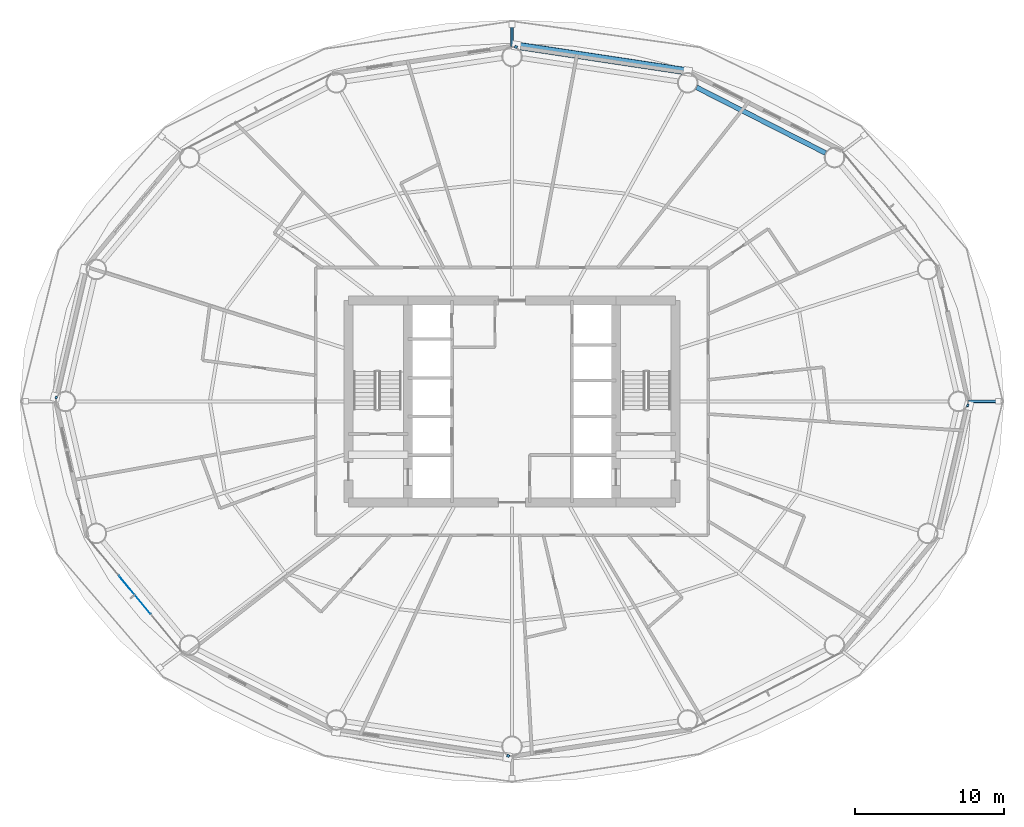
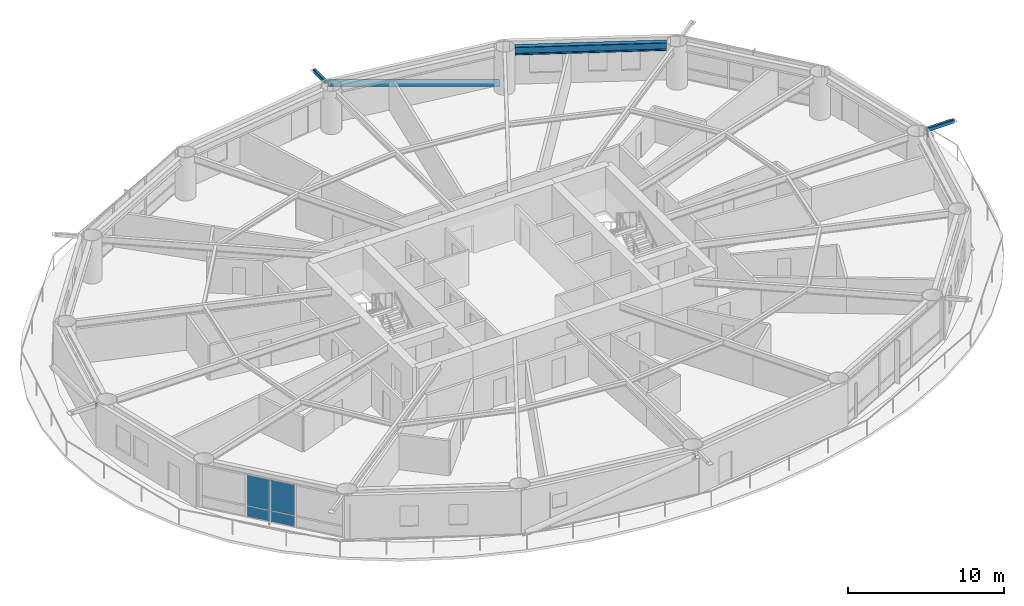
# One storey, part 15 of 26: 7 members, 2 plates, 1 beam, 1 element without a shape of its own.
"""IFC4 building model written with IfcOpenShell, lengths in metres."""

from ifc_helpers import new_model, si_unit, direction, frame, origin, origin_2d, place, context, subcontext, project, spatial, rectangle, hollow_rectangle, hollow_circle, i_section, extrude, material, layer, layer_set, material_profile, profile_set, type_object, element, aggregate, save


model = new_model("IFC4")

# Units and contexts
model_context = context("Model", 3, precision=1e-05, world=origin(), true_north=direction((0.0, 1.0)))
body_context = subcontext(model_context, "Body", "Model", "MODEL_VIEW")
ifc_project = project(units=[si_unit("LENGTHUNIT", "METRE"), si_unit("AREAUNIT", "SQUARE_METRE"), si_unit("VOLUMEUNIT", "CUBIC_METRE"), si_unit("PLANEANGLEUNIT", "RADIAN"), si_unit("MASSUNIT", "GRAM", prefix="KILO")], contexts=[model_context])

# Site, building, storey
site_placement = place(None, origin())
site = spatial("IfcSite", under=ifc_project, at=site_placement, CompositionType="ELEMENT")
building_placement = place(site_placement, origin())
building = spatial("IfcBuilding", under=site, at=building_placement, Name="Sarneth Arch Tower", CompositionType="ELEMENT")
storey_placement = place(building_placement, frame((0.0, 0.0, 53.39990234375)))
storey = spatial("IfcBuildingStorey", under=building, at=storey_placement, Name="L12", CompositionType="ELEMENT", Elevation=53.39990234375)

# Beam
ifc_material_1 = material(Name="Steel S355", Category="steel")
ifc_material_profile_1 = material_profile(ifc_material_1, i_section(OverallWidth=0.326904296875, OverallDepth=0.6220703125, WebThickness=0.015380859375, FlangeThickness=0.0244140625, FilletRadius=0.01904296875, at=origin_2d()), Name="W610x195")
ifc_profile_set_1 = profile_set([ifc_material_profile_1], Name="Steel S355")
beam_type = type_object("IfcBeamType", Name="BM-SPAN-610A", PredefinedType="SPANDREL", material=ifc_profile_set_1)
beam_placement = place(storey_placement, frame((69.09521484375, 58.711181640625, 3.069091796875), z_axis=(-0.8911738076, 0.453662037919, 0.0), x_axis=(-0.453662037919, -0.8911738076, 0.0)))
element("IfcBeam", 1, at=beam_placement, inside=storey, type_object=beam_type, Name="L12 Perimeter spandrel beam 03", PredefinedType="SPANDREL", context=body_context, shape_type="SweptSolid", body=[
    extrude(i_section(OverallWidth=0.326904296875, OverallDepth=0.6220703125, WebThickness=0.015380859375, FlangeThickness=0.0244140625, FilletRadius=0.01904296875, at=origin_2d()), origin(), (0.0, 0.0, 1.0), 9.735107421875),
])

# Members
ifc_material_2 = material(Name="Steel S355", Category="steel")
ifc_material_profile_2 = material_profile(ifc_material_2, hollow_rectangle(XDim=0.199951171875, YDim=0.300048828125, WallThickness=0.012451171875, InnerFilletRadius=0.018798828125, OuterFilletRadius=0.03125, at=origin_2d()), Name="RHS300x200x12.5")
ifc_profile_set_2 = profile_set([ifc_material_profile_2], Name="Steel S355")
member_type_1 = type_object("IfcMemberType", Name="MEM-CANT-STRUT", PredefinedType="STRUT", material=ifc_profile_set_2)
member_1_placement = place(storey_placement, frame((78.709716796875, 42.0, 3.22021484375), z_axis=(1.0, 0.0, 0.0), x_axis=(0.0, 1.0, 0.0)))
element("IfcMember", 2, at=member_1_placement, inside=storey, type_object=member_type_1, Name="L12 Balcony cantilever bracket 01", PredefinedType="STRUT", context=body_context, shape_type="SweptSolid", body=[
    extrude(hollow_rectangle(XDim=0.199951171875, YDim=0.300048828125, WallThickness=0.012451171875, InnerFilletRadius=0.018798828125, OuterFilletRadius=0.03125, at=origin_2d()), origin(), (0.0, 0.0, 1.0), 2.014404296875),
])
member_2_placement = place(storey_placement, frame((48.227294921875, 65.763427734375, 3.0068359375), z_axis=(0.374114534281, 0.927382507512, 0.0), x_axis=(-0.927382507512, 0.374114534281, 0.0)))
element("IfcMember", 3, at=member_2_placement, inside=storey, type_object=member_type_1, Name="L12 Exoskeleton brace node strut 04B", PredefinedType="STRUT", context=body_context, shape_type="SweptSolid", body=[
    extrude(hollow_rectangle(XDim=0.199951171875, YDim=0.300048828125, WallThickness=0.012451171875, InnerFilletRadius=0.018798828125, OuterFilletRadius=0.03125, at=origin_2d()), origin(), (0.0, 0.0, 1.0), 0.185302734375),
])
member_3_placement = place(storey_placement, frame((48.0, 65.875, 3.22021484375), z_axis=(0.0, 1.0, 0.0), x_axis=(-1.0, 0.0, 0.0)))
element("IfcMember", 4, at=member_3_placement, inside=storey, type_object=member_type_1, Name="L12 Balcony cantilever bracket 05", PredefinedType="STRUT", context=body_context, shape_type="SweptSolid", body=[
    extrude(hollow_rectangle(XDim=0.199951171875, YDim=0.300048828125, WallThickness=0.012451171875, InnerFilletRadius=0.018798828125, OuterFilletRadius=0.03125, at=origin_2d()), origin(), (0.0, 0.0, 1.0), 1.485595703125),
])
member_4_placement = place(storey_placement, frame((17.40576171875, 42.23681640625, 3.0068359375), z_axis=(-0.921085575415, 0.389360196684, 0.0), x_axis=(-0.389360196684, -0.921085575415, 0.0)))
element("IfcMember", 5, at=member_4_placement, inside=storey, type_object=member_type_1, Name="L12 Exoskeleton brace node strut 08B", PredefinedType="STRUT", context=body_context, shape_type="SweptSolid", body=[
    extrude(hollow_rectangle(XDim=0.199951171875, YDim=0.300048828125, WallThickness=0.012451171875, InnerFilletRadius=0.018798828125, OuterFilletRadius=0.03125, at=origin_2d()), origin(), (0.0, 0.0, 1.0), 0.142333984375),
])
member_5_placement = place(storey_placement, frame((47.772705078125, 18.236572265625, 3.0068359375), z_axis=(-0.374114534281, -0.927382507512, 0.0), x_axis=(0.927382507512, -0.374114534281, 0.0)))
element("IfcMember", 6, at=member_5_placement, inside=storey, type_object=member_type_1, Name="L12 Exoskeleton brace node strut 12B", PredefinedType="STRUT", context=body_context, shape_type="SweptSolid", body=[
    extrude(hollow_rectangle(XDim=0.199951171875, YDim=0.300048828125, WallThickness=0.012451171875, InnerFilletRadius=0.018798828125, OuterFilletRadius=0.03125, at=origin_2d()), origin(), (0.0, 0.0, 1.0), 0.185302734375),
])
member_6_placement = place(storey_placement, frame((78.59423828125, 41.76318359375, 3.0068359375), z_axis=(0.921085575415, -0.389360196684, 0.0), x_axis=(0.389360196684, 0.921085575415, 0.0)))
element("IfcMember", 7, at=member_6_placement, inside=storey, type_object=member_type_1, Name="L12 Exoskeleton brace node strut 16B", PredefinedType="STRUT", context=body_context, shape_type="SweptSolid", body=[
    extrude(hollow_rectangle(XDim=0.199951171875, YDim=0.300048828125, WallThickness=0.012451171875, InnerFilletRadius=0.018798828125, OuterFilletRadius=0.03125, at=origin_2d()), origin(), (0.0, 0.0, 1.0), 0.142333984375),
])
ifc_material_3 = material(Name="Steel S355", Category="steel")
ifc_material_profile_3 = material_profile(ifc_material_3, hollow_circle(Radius=0.25390625, WallThickness=0.01611328125, at=origin_2d()), Name="CHS508x16")
ifc_profile_set_3 = profile_set([ifc_material_profile_3], Name="Steel S355")
member_type_2 = type_object("IfcMemberType", Name="MEM-DIAG-BR1", PredefinedType="BRACE", material=ifc_profile_set_3)
member_7_placement = place(storey_placement, frame((59.819580078125, 64.19921875, 0.02001953125), z_axis=(-0.957875899759, 0.144316613483, 0.248287083301), x_axis=(-0.1489817545, -0.988839944999, 0.0)))
element("IfcMember", 8, at=member_7_placement, inside=storey, type_object=member_type_2, Name="L12 Perimeter frame diagonal 04", PredefinedType="BRACE", context=body_context, shape_type="SweptSolid", body=[
    extrude(hollow_circle(Radius=0.25390625, WallThickness=0.01611328125, at=origin_2d()), origin(), (0.0, 0.0, 1.0), 12.02978515625),
])

# Curtain wall, plates
ifc_material_4 = material(Name="Anodised aluminium Type AA25 and solar-control low-e laminated IGU", Category="aluminium")
ifc_layer_1 = layer(ifc_material_4, 0.159912109375)
ifc_layer_set_1 = layer_set([ifc_layer_1], Name="Anodised aluminium Type AA25 and solar-control low-e laminated IGU")
curtain_wall_type = type_object("IfcCurtainWallType", Name="CW-HOTEL-LOW", PredefinedType="NOTDEFINED", material=ifc_layer_set_1)
curtain_wall_placement = place(storey_placement, origin())
curtain_wall = element("IfcCurtainWall", 9, at=curtain_wall_placement, inside=storey, type_object=curtain_wall_type, Name="L12 Unitised curtain wall facet 10", PredefinedType="NOTDEFINED")
ifc_material_5 = material(Name="Solar-control low-e laminated IGU", Category="glass")
ifc_layer_2 = layer(ifc_material_5, 0.028076171875)
ifc_layer_set_2 = layer_set([ifc_layer_2], Name="Solar-control low-e laminated IGU")
plate_type = type_object("IfcPlateType", Name="CW-PANEL", PredefinedType="CURTAIN_PANEL", material=ifc_layer_set_2)
plate_1_placement = place(storey_placement, frame((22.62255859375, 28.98779296875, 0.06005859375), z_axis=(0.0, 0.0, 1.0), x_axis=(0.637291340827, -0.770622960278, 0.0)))
plate_1 = element("IfcPlate", 10, at=plate_1_placement, type_object=plate_type, Name="Curtain wall glazed vision pane CW-L12-F10/P01-00", PredefinedType="CURTAIN_PANEL", context=body_context, shape_type="SweptSolid", body=[
    extrude(rectangle(XDim=3.291015625, YDim=0.028076171875, at=origin_2d()), origin(), (0.0, 0.0, 1.0), 0.81005859375),
])
plate_2_placement = place(storey_placement, frame((22.62255859375, 28.98779296875, 0.93017578125), z_axis=(0.0, 0.0, 1.0), x_axis=(0.637291340827, -0.770622960278, 0.0)))
plate_2 = element("IfcPlate", 11, at=plate_2_placement, type_object=plate_type, Name="Curtain wall glazed vision pane CW-L12-F10/P01-01", PredefinedType="CURTAIN_PANEL", context=body_context, shape_type="SweptSolid", body=[
    extrude(rectangle(XDim=3.291015625, YDim=0.028076171875, at=origin_2d()), origin(), (0.0, 0.0, 1.0), 2.389892578125),
])
aggregate(curtain_wall, [plate_1, plate_2])

save(model, "model.ifc")
